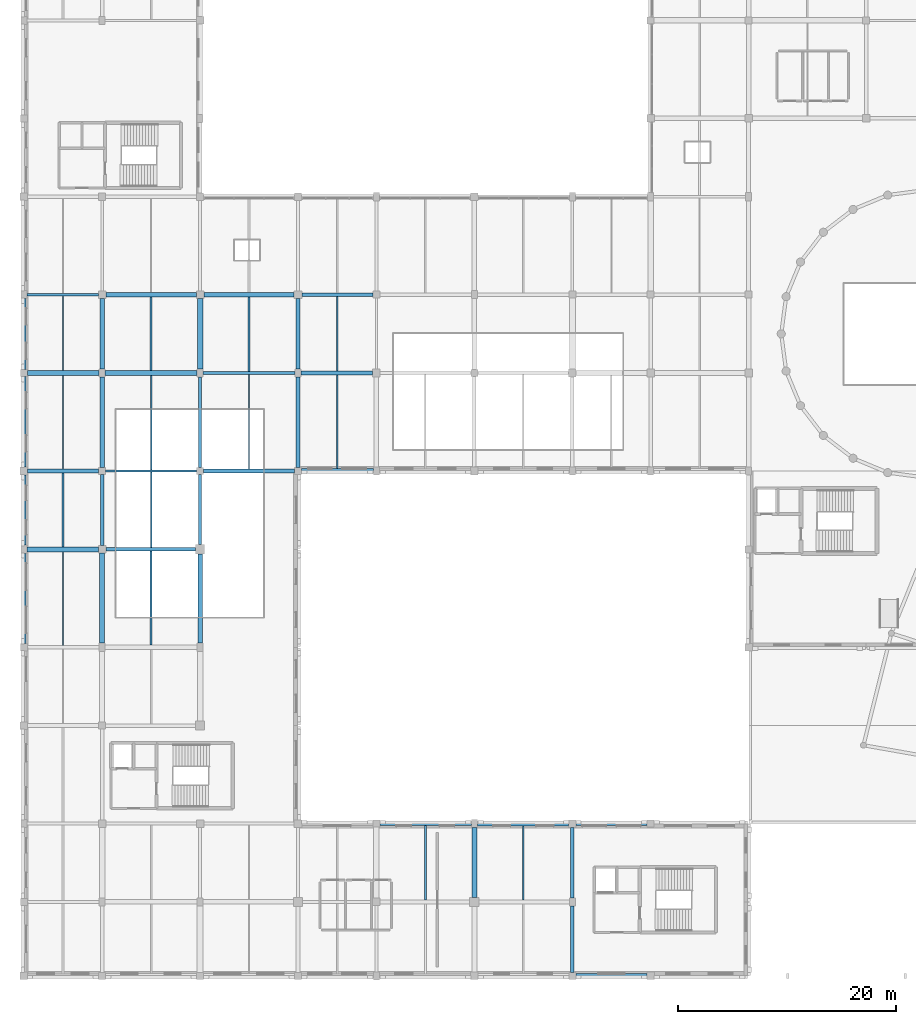
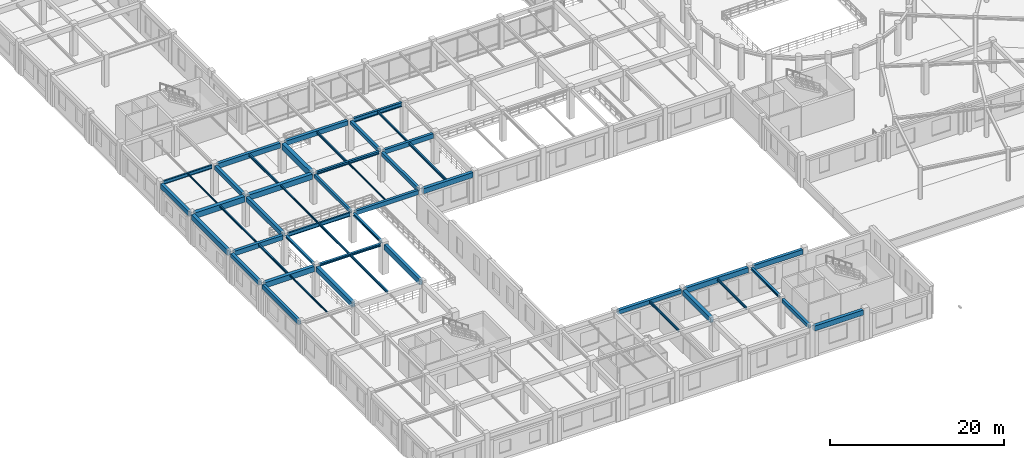
# One storey, part 4 of 62: 49 beams.
"""IFC4 building model written with IfcOpenShell, lengths in metres."""

from ifc_helpers import new_model, si_unit, direction, frame, origin, origin_2d, place, context, subcontext, project, spatial, rectangle, i_section, extrude, material, material_profile, profile_set, type_object, element, save


model = new_model("IFC4")

# Units and contexts
model_context = context("Model", 3, precision=1e-05, world=origin(), true_north=direction((0.0, 1.0)))
body_context = subcontext(model_context, "Body", "Model", "MODEL_VIEW")
ifc_project = project(units=[si_unit("LENGTHUNIT", "METRE"), si_unit("AREAUNIT", "SQUARE_METRE"), si_unit("VOLUMEUNIT", "CUBIC_METRE"), si_unit("PLANEANGLEUNIT", "RADIAN"), si_unit("MASSUNIT", "GRAM", prefix="KILO")], contexts=[model_context])

# Site, building, storey
site_placement = place(None, origin())
site = spatial("IfcSite", under=ifc_project, at=site_placement, CompositionType="ELEMENT")
building_placement = place(site_placement, origin())
building = spatial("IfcBuilding", under=site, at=building_placement, Name="Clarverna Civic Hall", CompositionType="ELEMENT")
storey_placement = place(building_placement, frame((0.0, 0.0, 5.10009765625)))
storey = spatial("IfcBuildingStorey", under=building, at=storey_placement, Name="L01", CompositionType="ELEMENT", Elevation=5.10009765625)

# Beams
ifc_material_1 = material(Name="Concrete C35/45", Category="concrete")
ifc_material_profile_1 = material_profile(ifc_material_1, rectangle(XDim=0.5, YDim=0.85009765625, at=origin_2d()), Name="RC 500x850")
ifc_profile_set_1 = profile_set([ifc_material_profile_1], Name="Concrete C35/45")
beam_type_1 = type_object("IfcBeamType", Name="B-RC1", PredefinedType="BEAM", material=ifc_profile_set_1)
beam_1_placement = place(storey_placement, frame((16.199951171875, 55.77490234375, 3.794921875), z_axis=(0.0, 1.0, 0.0), x_axis=(-1.0, 0.0, 0.0)))
element("IfcBeam", 1, at=beam_1_placement, inside=storey, type_object=beam_type_1, Name="B-RC1-017", PredefinedType="BEAM", context=body_context, shape_type="SweptSolid", body=[
    extrude(rectangle(XDim=0.5, YDim=0.85009765625, at=origin_2d()), origin(), (0.0, 0.0, 1.0), 6.47509765625),
])
ifc_material_profile_2 = material_profile(ifc_material_1, rectangle(XDim=0.35009765625, YDim=0.5, at=origin_2d()), Name="RC 350x500")
ifc_profile_set_2 = profile_set([ifc_material_profile_2], Name="Concrete C35/45")
beam_type_2 = type_object("IfcBeamType", Name="B-RC10", PredefinedType="BEAM", material=ifc_profile_set_2)
beam_2_placement = place(storey_placement, frame((25.199951171875, 55.77490234375, 3.969970703125), z_axis=(0.0, 1.0, 0.0), x_axis=(-1.0, 0.0, 0.0)))
element("IfcBeam", 2, at=beam_2_placement, inside=storey, type_object=beam_type_2, Name="B-RC10-024", PredefinedType="BEAM", context=body_context, shape_type="SweptSolid", body=[
    extrude(rectangle(XDim=0.35009765625, YDim=0.5, at=origin_2d()), origin(), (0.0, 0.0, 1.0), 6.47509765625),
])
beam_3_placement = place(storey_placement, frame((50.39990234375, 0.324951171875, 3.969970703125), z_axis=(0.0, 1.0, 0.0), x_axis=(-1.0, 0.0, 0.0)))
element("IfcBeam", 3, at=beam_3_placement, inside=storey, type_object=beam_type_2, Name="B-RC10-025", PredefinedType="BEAM", context=body_context, shape_type="SweptSolid", body=[
    extrude(rectangle(XDim=0.35009765625, YDim=0.5, at=origin_2d()), origin(), (0.0, 0.0, 1.0), 6.10009765625),
])
ifc_material_profile_3 = material_profile(ifc_material_1, rectangle(XDim=0.5, YDim=0.800048828125, at=origin_2d()), Name="RC 500x800")
ifc_profile_set_3 = profile_set([ifc_material_profile_3], Name="Concrete C35/45")
beam_type_3 = type_object("IfcBeamType", Name="B-RC14", PredefinedType="BEAM", material=ifc_profile_set_3)
beam_4_placement = place(storey_placement, frame((0.324951171875, 55.39990234375, 3.81982421875), z_axis=(1.0, 0.0, 0.0), x_axis=(0.0, 1.0, 0.0)))
element("IfcBeam", 4, at=beam_4_placement, inside=storey, type_object=beam_type_3, Name="B-RC14-022", PredefinedType="BEAM", context=body_context, shape_type="SweptSolid", body=[
    extrude(rectangle(XDim=0.5, YDim=0.800048828125, at=origin_2d()), origin(), (0.0, 0.0, 1.0), 6.60009765625),
])
ifc_material_profile_4 = material_profile(ifc_material_1, rectangle(XDim=0.5, YDim=0.75, at=origin_2d()), Name="RC 500x750")
ifc_profile_set_4 = profile_set([ifc_material_profile_4], Name="Concrete C35/45")
beam_type_4 = type_object("IfcBeamType", Name="B-RC15", PredefinedType="BEAM", material=ifc_profile_set_4)
beam_5_placement = place(storey_placement, frame((7.47509765625, 55.39990234375, 3.844970703125), z_axis=(1.0, 0.0, 0.0), x_axis=(0.0, 1.0, 0.0)))
element("IfcBeam", 5, at=beam_5_placement, inside=storey, type_object=beam_type_4, Name="B-RC15-026", PredefinedType="BEAM", context=body_context, shape_type="SweptSolid", body=[
    extrude(rectangle(XDim=0.5, YDim=0.75, at=origin_2d()), origin(), (0.0, 0.0, 1.0), 8.449951171875),
])
ifc_material_profile_5 = material_profile(ifc_material_1, rectangle(XDim=0.39990234375, YDim=0.75, at=origin_2d()), Name="RC 400x750")
ifc_profile_set_5 = profile_set([ifc_material_profile_5], Name="Concrete C35/45")
beam_type_5 = type_object("IfcBeamType", Name="B-RC16", PredefinedType="BEAM", material=ifc_profile_set_5)
beam_6_placement = place(storey_placement, frame((16.199951171875, 30.574951171875, 3.844970703125), z_axis=(0.0, 1.0, 0.0), x_axis=(-1.0, 0.0, 0.0)))
element("IfcBeam", 6, at=beam_6_placement, inside=storey, type_object=beam_type_5, Name="B-RC16-021", PredefinedType="BEAM", context=body_context, shape_type="SweptSolid", body=[
    extrude(rectangle(XDim=0.39990234375, YDim=0.75, at=origin_2d()), origin(), (0.0, 0.0, 1.0), 8.199951171875),
])
ifc_material_profile_6 = material_profile(ifc_material_1, rectangle(XDim=0.35009765625, YDim=0.64990234375, at=origin_2d()), Name="RC 350x650")
ifc_profile_set_6 = profile_set([ifc_material_profile_6], Name="Concrete C35/45")
beam_type_6 = type_object("IfcBeamType", Name="B-RC17", PredefinedType="BEAM", material=ifc_profile_set_6)
beam_7_placement = place(storey_placement, frame((25.47509765625, 55.39990234375, 3.89501953125), z_axis=(1.0, 0.0, 0.0), x_axis=(0.0, 1.0, 0.0)))
element("IfcBeam", 7, at=beam_7_placement, inside=storey, type_object=beam_type_6, Name="B-RC17-023", PredefinedType="BEAM", context=body_context, shape_type="SweptSolid", body=[
    extrude(rectangle(XDim=0.35009765625, YDim=0.64990234375, at=origin_2d()), origin(), (0.0, 0.0, 1.0), 6.574951171875),
])
ifc_material_profile_7 = material_profile(ifc_material_1, rectangle(XDim=0.300048828125, YDim=0.449951171875, at=origin_2d()), Name="RC 300x450")
ifc_profile_set_7 = profile_set([ifc_material_profile_7], Name="Concrete C35/45")
beam_type_7 = type_object("IfcBeamType", Name="B-RC18", PredefinedType="BEAM", material=ifc_profile_set_7)
beam_8_placement = place(storey_placement, frame((16.199951171875, 46.72509765625, 3.994873046875), z_axis=(0.0, 1.0, 0.0), x_axis=(-1.0, 0.0, 0.0)))
element("IfcBeam", 8, at=beam_8_placement, inside=storey, type_object=beam_type_7, Name="B-RC18-027", PredefinedType="BEAM", context=body_context, shape_type="SweptSolid", body=[
    extrude(rectangle(XDim=0.300048828125, YDim=0.449951171875, at=origin_2d()), origin(), (0.0, 0.0, 1.0), 8.2998046875),
])
ifc_material_profile_8 = material_profile(ifc_material_1, rectangle(XDim=0.449951171875, YDim=0.75, at=origin_2d()), Name="RC 450x750")
ifc_profile_set_8 = profile_set([ifc_material_profile_8], Name="Concrete C35/45")
beam_type_8 = type_object("IfcBeamType", Name="B-RC3", PredefinedType="BEAM", material=ifc_profile_set_8)
beam_9_placement = place(storey_placement, frame((0.27490234375, 39.199951171875, 3.844970703125), z_axis=(1.0, 0.0, 0.0), x_axis=(0.0, 1.0, 0.0)))
element("IfcBeam", 9, at=beam_9_placement, inside=storey, type_object=beam_type_8, Name="B-RC3-021", PredefinedType="BEAM", context=body_context, shape_type="SweptSolid", body=[
    extrude(rectangle(XDim=0.449951171875, YDim=0.75, at=origin_2d()), origin(), (0.0, 0.0, 1.0), 6.5751953125),
])
ifc_material_profile_9 = material_profile(ifc_material_1, rectangle(XDim=0.449951171875, YDim=0.699951171875, at=origin_2d()), Name="RC 450x700")
ifc_profile_set_9 = profile_set([ifc_material_profile_9], Name="Concrete C35/45")
beam_type_9 = type_object("IfcBeamType", Name="B-RC4", PredefinedType="BEAM", material=ifc_profile_set_9)
beam_10_placement = place(storey_placement, frame((7.199951171875, 30.574951171875, 3.869873046875), z_axis=(0.0, 1.0, 0.0), x_axis=(-1.0, 0.0, 0.0)))
element("IfcBeam", 10, at=beam_10_placement, inside=storey, type_object=beam_type_9, Name="B-RC4-021", PredefinedType="BEAM", context=body_context, shape_type="SweptSolid", body=[
    extrude(rectangle(XDim=0.449951171875, YDim=0.699951171875, at=origin_2d()), origin(), (0.0, 0.0, 1.0), 8.275146484375),
])
beam_11_placement = place(storey_placement, frame((41.39990234375, 7.22509765625, 3.869873046875), z_axis=(0.0, 1.0, 0.0), x_axis=(-1.0, 0.0, 0.0)))
element("IfcBeam", 11, at=beam_11_placement, inside=storey, type_object=beam_type_9, Name="B-RC4-022", PredefinedType="BEAM", context=body_context, shape_type="SweptSolid", body=[
    extrude(rectangle(XDim=0.449951171875, YDim=0.699951171875, at=origin_2d()), origin(), (0.0, 0.0, 1.0), 6.39990234375),
])
ifc_material_profile_10 = material_profile(ifc_material_1, rectangle(XDim=0.39990234375, YDim=0.699951171875, at=origin_2d()), Name="RC 400x700")
ifc_profile_set_10 = profile_set([ifc_material_profile_10], Name="Concrete C35/45")
beam_type_10 = type_object("IfcBeamType", Name="B-RC5", PredefinedType="BEAM", material=ifc_profile_set_10)
beam_12_placement = place(storey_placement, frame((7.550048828125, 62.60009765625, 3.869873046875), z_axis=(1.0, 0.0, 0.0), x_axis=(0.0, 1.0, 0.0)))
element("IfcBeam", 12, at=beam_12_placement, inside=storey, type_object=beam_type_10, Name="B-RC5-023", PredefinedType="BEAM", context=body_context, shape_type="SweptSolid", body=[
    extrude(rectangle(XDim=0.39990234375, YDim=0.699951171875, at=origin_2d()), origin(), (0.0, 0.0, 1.0), 8.300048828125),
])
ifc_material_profile_11 = material_profile(ifc_material_1, rectangle(XDim=0.39990234375, YDim=0.64990234375, at=origin_2d()), Name="RC 400x650")
ifc_profile_set_11 = profile_set([ifc_material_profile_11], Name="Concrete C35/45")
beam_type_11 = type_object("IfcBeamType", Name="B-RC6", PredefinedType="BEAM", material=ifc_profile_set_11)
beam_13_placement = place(storey_placement, frame((0.35009765625, 46.39990234375, 3.89501953125), z_axis=(1.0, 0.0, 0.0), x_axis=(0.0, 1.0, 0.0)))
element("IfcBeam", 13, at=beam_13_placement, inside=storey, type_object=beam_type_11, Name="B-RC6-026", PredefinedType="BEAM", context=body_context, shape_type="SweptSolid", body=[
    extrude(rectangle(XDim=0.39990234375, YDim=0.64990234375, at=origin_2d()), origin(), (0.0, 0.0, 1.0), 6.52490234375),
])
beam_14_placement = place(storey_placement, frame((16.550048828125, 62.60009765625, 3.89501953125), z_axis=(1.0, 0.0, 0.0), x_axis=(0.0, 1.0, 0.0)))
element("IfcBeam", 14, at=beam_14_placement, inside=storey, type_object=beam_type_11, Name="B-RC6-027", PredefinedType="BEAM", context=body_context, shape_type="SweptSolid", body=[
    extrude(rectangle(XDim=0.39990234375, YDim=0.64990234375, at=origin_2d()), origin(), (0.0, 0.0, 1.0), 8.300048828125),
])
beam_15_placement = place(storey_placement, frame((7.199951171875, 46.72509765625, 3.89501953125), z_axis=(0.0, 1.0, 0.0), x_axis=(-1.0, 0.0, 0.0)))
element("IfcBeam", 15, at=beam_15_placement, inside=storey, type_object=beam_type_11, Name="B-RC6-031", PredefinedType="BEAM", context=body_context, shape_type="SweptSolid", body=[
    extrude(rectangle(XDim=0.39990234375, YDim=0.64990234375, at=origin_2d()), origin(), (0.0, 0.0, 1.0), 8.2998046875),
])
ifc_material_profile_12 = material_profile(ifc_material_1, rectangle(XDim=0.39990234375, YDim=0.60009765625, at=origin_2d()), Name="RC 400x600")
ifc_profile_set_12 = profile_set([ifc_material_profile_12], Name="Concrete C35/45")
beam_type_12 = type_object("IfcBeamType", Name="B-RC7", PredefinedType="BEAM", material=ifc_profile_set_12)
beam_16_placement = place(storey_placement, frame((7.199951171875, 55.77490234375, 3.919921875), z_axis=(0.0, 1.0, 0.0), x_axis=(-1.0, 0.0, 0.0)))
element("IfcBeam", 16, at=beam_16_placement, inside=storey, type_object=beam_type_12, Name="B-RC7-022", PredefinedType="BEAM", context=body_context, shape_type="SweptSolid", body=[
    extrude(rectangle(XDim=0.39990234375, YDim=0.60009765625, at=origin_2d()), origin(), (0.0, 0.0, 1.0), 6.47509765625),
])
ifc_material_profile_13 = material_profile(ifc_material_1, rectangle(XDim=0.35009765625, YDim=0.60009765625, at=origin_2d()), Name="RC 350x600")
ifc_profile_set_13 = profile_set([ifc_material_profile_13], Name="Concrete C35/45")
beam_type_13 = type_object("IfcBeamType", Name="B-RC8", PredefinedType="BEAM", material=ifc_profile_set_13)
beam_17_placement = place(storey_placement, frame((16.52490234375, 46.39990234375, 3.919921875), z_axis=(1.0, 0.0, 0.0), x_axis=(0.0, 1.0, 0.0)))
element("IfcBeam", 17, at=beam_17_placement, inside=storey, type_object=beam_type_13, Name="B-RC8-021", PredefinedType="BEAM", context=body_context, shape_type="SweptSolid", body=[
    extrude(rectangle(XDim=0.35009765625, YDim=0.60009765625, at=origin_2d()), origin(), (0.0, 0.0, 1.0), 8.35009765625),
])
ifc_material_profile_14 = material_profile(ifc_material_1, rectangle(XDim=0.35009765625, YDim=0.550048828125, at=origin_2d()), Name="RC 350x550")
ifc_profile_set_14 = profile_set([ifc_material_profile_14], Name="Concrete C35/45")
beam_type_14 = type_object("IfcBeamType", Name="B-RC9", PredefinedType="BEAM", material=ifc_profile_set_14)
beam_18_placement = place(storey_placement, frame((25.199951171875, 46.72509765625, 3.94482421875), z_axis=(0.0, 1.0, 0.0), x_axis=(-1.0, 0.0, 0.0)))
element("IfcBeam", 18, at=beam_18_placement, inside=storey, type_object=beam_type_14, Name="B-RC9-029", PredefinedType="BEAM", context=body_context, shape_type="SweptSolid", body=[
    extrude(rectangle(XDim=0.35009765625, YDim=0.550048828125, at=origin_2d()), origin(), (0.0, 0.0, 1.0), 8.2998046875),
])
ifc_material_profile_15 = material_profile(ifc_material_1, rectangle(XDim=0.419921875, YDim=0.719970703125, at=origin_2d()), Name="RC 420x720")
ifc_profile_set_15 = profile_set([ifc_material_profile_15], Name="Concrete C35/45")
beam_type_15 = type_object("IfcBeamType", Name="B-SP1", PredefinedType="SPANDREL", material=ifc_profile_set_15)
beam_19_placement = place(storey_placement, frame((50.72509765625, 0.0, 3.85986328125), z_axis=(1.0, 0.0, 0.0), x_axis=(0.0, 1.0, 0.0)))
element("IfcBeam", 19, at=beam_19_placement, inside=storey, type_object=beam_type_15, Name="B-SP1-058", PredefinedType="SPANDREL", context=body_context, shape_type="SweptSolid", body=[
    extrude(rectangle(XDim=0.419921875, YDim=0.719970703125, at=origin_2d()), origin(), (0.0, 0.0, 1.0), 6.52490234375),
])
beam_20_placement = place(storey_placement, frame((41.675048828125, 14.0, 3.85986328125), z_axis=(1.0, 0.0, 0.0), x_axis=(0.0, 1.0, 0.0)))
element("IfcBeam", 20, at=beam_20_placement, inside=storey, type_object=beam_type_15, Name="B-SP1-059", PredefinedType="SPANDREL", context=body_context, shape_type="SweptSolid", body=[
    extrude(rectangle(XDim=0.419921875, YDim=0.719970703125, at=origin_2d()), origin(), (0.0, 0.0, 1.0), 8.375),
])
beam_21_placement = place(storey_placement, frame((25.52490234375, 46.39990234375, 3.85986328125), z_axis=(1.0, 0.0, 0.0), x_axis=(0.0, 1.0, 0.0)))
element("IfcBeam", 21, at=beam_21_placement, inside=storey, type_object=beam_type_15, Name="B-SP1-060", PredefinedType="SPANDREL", context=body_context, shape_type="SweptSolid", body=[
    extrude(rectangle(XDim=0.419921875, YDim=0.719970703125, at=origin_2d()), origin(), (0.0, 0.0, 1.0), 6.60009765625),
])
beam_22_placement = place(storey_placement, frame((0.0, 46.75, 3.85986328125), z_axis=(0.0, 1.0, 0.0), x_axis=(-1.0, 0.0, 0.0)))
element("IfcBeam", 22, at=beam_22_placement, inside=storey, type_object=beam_type_15, Name="B-SP1-070", PredefinedType="SPANDREL", context=body_context, shape_type="SweptSolid", body=[
    extrude(rectangle(XDim=0.419921875, YDim=0.719970703125, at=origin_2d()), origin(), (0.0, 0.0, 1.0), 8.324951171875),
])
ifc_material_profile_16 = material_profile(ifc_material_1, rectangle(XDim=0.3798828125, YDim=0.679931640625, at=origin_2d()), Name="RC 380x680")
ifc_profile_set_16 = profile_set([ifc_material_profile_16], Name="Concrete C35/45")
beam_type_16 = type_object("IfcBeamType", Name="B-SP2", PredefinedType="SPANDREL", material=ifc_profile_set_16)
beam_23_placement = place(storey_placement, frame((50.75, 14.0, 3.8798828125), z_axis=(1.0, 0.0, 0.0), x_axis=(0.0, 1.0, 0.0)))
element("IfcBeam", 23, at=beam_23_placement, inside=storey, type_object=beam_type_16, Name="B-SP2-058", PredefinedType="SPANDREL", context=body_context, shape_type="SweptSolid", body=[
    extrude(rectangle(XDim=0.3798828125, YDim=0.679931640625, at=origin_2d()), origin(), (0.0, 0.0, 1.0), 6.52490234375),
])
beam_24_placement = place(storey_placement, frame((0.0, 55.72509765625, 3.8798828125), z_axis=(0.0, 1.0, 0.0), x_axis=(-1.0, 0.0, 0.0)))
element("IfcBeam", 24, at=beam_24_placement, inside=storey, type_object=beam_type_16, Name="B-SP2-072", PredefinedType="SPANDREL", context=body_context, shape_type="SweptSolid", body=[
    extrude(rectangle(XDim=0.3798828125, YDim=0.679931640625, at=origin_2d()), origin(), (0.0, 0.0, 1.0), 6.5),
])
ifc_material_profile_17 = material_profile(ifc_material_1, rectangle(XDim=0.360107421875, YDim=0.6201171875, at=origin_2d()), Name="RC 360x620")
ifc_profile_set_17 = profile_set([ifc_material_profile_17], Name="Concrete C35/45")
beam_type_17 = type_object("IfcBeamType", Name="B-SP3", PredefinedType="SPANDREL", material=ifc_profile_set_17)
beam_25_placement = place(storey_placement, frame((0.0, 30.52490234375, 3.909912109375), z_axis=(0.0, 1.0, 0.0), x_axis=(-1.0, 0.0, 0.0)))
element("IfcBeam", 25, at=beam_25_placement, inside=storey, type_object=beam_type_17, Name="B-SP3-071", PredefinedType="SPANDREL", context=body_context, shape_type="SweptSolid", body=[
    extrude(rectangle(XDim=0.360107421875, YDim=0.6201171875, at=origin_2d()), origin(), (0.0, 0.0, 1.0), 8.300048828125),
])
ifc_material_profile_18 = material_profile(ifc_material_1, rectangle(XDim=0.39990234375, YDim=0.56005859375, at=origin_2d()), Name="RC 400x560")
ifc_profile_set_18 = profile_set([ifc_material_profile_18], Name="Concrete C35/45")
beam_type_18 = type_object("IfcBeamType", Name="B-SP4", PredefinedType="SPANDREL", material=ifc_profile_set_18)
beam_26_placement = place(storey_placement, frame((32.72509765625, 14.0, 3.93994140625), z_axis=(1.0, 0.0, 0.0), x_axis=(0.0, 1.0, 0.0)))
element("IfcBeam", 26, at=beam_26_placement, inside=storey, type_object=beam_type_18, Name="B-SP4-055", PredefinedType="SPANDREL", context=body_context, shape_type="SweptSolid", body=[
    extrude(rectangle(XDim=0.39990234375, YDim=0.56005859375, at=origin_2d()), origin(), (0.0, 0.0, 1.0), 8.39990234375),
])
beam_27_placement = place(storey_placement, frame((0.0, 39.574951171875, 3.93994140625), z_axis=(0.0, 1.0, 0.0), x_axis=(-1.0, 0.0, 0.0)))
element("IfcBeam", 27, at=beam_27_placement, inside=storey, type_object=beam_type_18, Name="B-SP4-068", PredefinedType="SPANDREL", context=body_context, shape_type="SweptSolid", body=[
    extrude(rectangle(XDim=0.39990234375, YDim=0.56005859375, at=origin_2d()), origin(), (0.0, 0.0, 1.0), 6.47509765625),
])
ifc_material_2 = material(Name="Steel S355", Category="steel")
ifc_material_profile_19 = material_profile(ifc_material_2, i_section(OverallWidth=0.300048828125, OverallDepth=0.60009765625, WebThickness=0.015380859375, FlangeThickness=0.030029296875, FilletRadius=0.027099609375, at=origin_2d()), Name="HEB 600")
ifc_profile_set_19 = profile_set([ifc_material_profile_19], Name="Steel S355")
beam_type_19 = type_object("IfcBeamType", Name="B-ST1", PredefinedType="BEAM", material=ifc_profile_set_19)
beam_28_placement = place(storey_placement, frame((25.550048828125, 62.60009765625, 3.919921875), z_axis=(1.0, 0.0, 0.0), x_axis=(0.0, 1.0, 0.0)))
element("IfcBeam", 28, at=beam_28_placement, inside=storey, type_object=beam_type_19, Name="B-ST1-006", PredefinedType="BEAM", context=body_context, shape_type="SweptSolid", body=[
    extrude(i_section(OverallWidth=0.300048828125, OverallDepth=0.60009765625, WebThickness=0.015380859375, FlangeThickness=0.030029296875, FilletRadius=0.027099609375, at=origin_2d()), origin(), (0.0, 0.0, 1.0), 6.52490234375),
])
ifc_material_profile_20 = material_profile(ifc_material_2, i_section(OverallWidth=0.2099609375, OverallDepth=0.550048828125, WebThickness=0.010986328125, FlangeThickness=0.01708984375, FilletRadius=0.02392578125, at=origin_2d()), Name="IPE 550")
ifc_profile_set_20 = profile_set([ifc_material_profile_20], Name="Steel S355")
beam_type_20 = type_object("IfcBeamType", Name="B-ST11", PredefinedType="BEAM", material=ifc_profile_set_20)
beam_29_placement = place(storey_placement, frame((7.52490234375, 46.39990234375, 3.94482421875), z_axis=(1.0, 0.0, 0.0), x_axis=(0.0, 1.0, 0.0)))
element("IfcBeam", 29, at=beam_29_placement, inside=storey, type_object=beam_type_20, Name="B-ST11-005", PredefinedType="BEAM", context=body_context, shape_type="SweptSolid", body=[
    extrude(i_section(OverallWidth=0.2099609375, OverallDepth=0.550048828125, WebThickness=0.010986328125, FlangeThickness=0.01708984375, FilletRadius=0.02392578125, at=origin_2d()), origin(), (0.0, 0.0, 1.0), 8.35009765625),
])
ifc_material_profile_21 = material_profile(ifc_material_2, i_section(OverallWidth=0.199951171875, OverallDepth=0.5, WebThickness=0.01025390625, FlangeThickness=0.01611328125, FilletRadius=0.02099609375, at=origin_2d()), Name="IPE 500")
ifc_profile_set_21 = profile_set([ifc_material_profile_21], Name="Steel S355")
beam_type_21 = type_object("IfcBeamType", Name="B-ST12", PredefinedType="BEAM", material=ifc_profile_set_21)
beam_30_placement = place(storey_placement, frame((0.27490234375, 62.60009765625, 3.969970703125), z_axis=(1.0, 0.0, 0.0), x_axis=(0.0, 1.0, 0.0)))
element("IfcBeam", 30, at=beam_30_placement, inside=storey, type_object=beam_type_21, Name="B-ST12-006", PredefinedType="BEAM", context=body_context, shape_type="SweptSolid", body=[
    extrude(i_section(OverallWidth=0.199951171875, OverallDepth=0.5, WebThickness=0.01025390625, FlangeThickness=0.01611328125, FilletRadius=0.02099609375, at=origin_2d()), origin(), (0.0, 0.0, 1.0), 6.5751953125),
])
ifc_material_profile_22 = material_profile(ifc_material_2, i_section(OverallWidth=0.300048828125, OverallDepth=0.389892578125, WebThickness=0.010986328125, FlangeThickness=0.01904296875, FilletRadius=0.027099609375, at=origin_2d()), Name="HEA 400")
ifc_profile_set_22 = profile_set([ifc_material_profile_22], Name="Steel S355")
beam_type_22 = type_object("IfcBeamType", Name="B-ST6", PredefinedType="BEAM", material=ifc_profile_set_22)
beam_31_placement = place(storey_placement, frame((16.47509765625, 55.39990234375, 4.02490234375), z_axis=(1.0, 0.0, 0.0), x_axis=(0.0, 1.0, 0.0)))
element("IfcBeam", 31, at=beam_31_placement, inside=storey, type_object=beam_type_22, Name="B-ST6-004", PredefinedType="BEAM", context=body_context, shape_type="SweptSolid", body=[
    extrude(i_section(OverallWidth=0.300048828125, OverallDepth=0.389892578125, WebThickness=0.010986328125, FlangeThickness=0.01904296875, FilletRadius=0.027099609375, at=origin_2d()), origin(), (0.0, 0.0, 1.0), 8.449951171875),
])
ifc_material_profile_23 = material_profile(ifc_material_2, i_section(OverallWidth=0.300048828125, OverallDepth=0.35009765625, WebThickness=0.010009765625, FlangeThickness=0.017578125, FilletRadius=0.027099609375, at=origin_2d()), Name="HEA 360")
ifc_profile_set_23 = profile_set([ifc_material_profile_23], Name="Steel S355")
beam_type_23 = type_object("IfcBeamType", Name="B-ST7", PredefinedType="BEAM", material=ifc_profile_set_23)
beam_32_placement = place(storey_placement, frame((16.199951171875, 39.625, 4.044921875), z_axis=(0.0, 1.0, 0.0), x_axis=(-1.0, 0.0, 0.0)))
element("IfcBeam", 32, at=beam_32_placement, inside=storey, type_object=beam_type_23, Name="B-ST7-008", PredefinedType="BEAM", context=body_context, shape_type="SweptSolid", body=[
    extrude(i_section(OverallWidth=0.300048828125, OverallDepth=0.35009765625, WebThickness=0.010009765625, FlangeThickness=0.017578125, FilletRadius=0.027099609375, at=origin_2d()), origin(), (0.0, 0.0, 1.0), 6.449951171875),
])
ifc_material_profile_24 = material_profile(ifc_material_2, i_section(OverallWidth=0.300048828125, OverallDepth=0.330078125, WebThickness=0.009521484375, FlangeThickness=0.0166015625, FilletRadius=0.027099609375, at=origin_2d()), Name="HEA 340")
ifc_profile_set_24 = profile_set([ifc_material_profile_24], Name="Steel S355")
beam_type_24 = type_object("IfcBeamType", Name="B-ST8", PredefinedType="BEAM", material=ifc_profile_set_24)
beam_33_placement = place(storey_placement, frame((7.550048828125, 39.199951171875, 4.054931640625), z_axis=(1.0, 0.0, 0.0), x_axis=(0.0, 1.0, 0.0)))
element("IfcBeam", 33, at=beam_33_placement, inside=storey, type_object=beam_type_24, Name="B-ST8-054", PredefinedType="BEAM", context=body_context, shape_type="SweptSolid", body=[
    extrude(i_section(OverallWidth=0.300048828125, OverallDepth=0.330078125, WebThickness=0.009521484375, FlangeThickness=0.0166015625, FilletRadius=0.027099609375, at=origin_2d()), origin(), (0.0, 0.0, 1.0), 8.224853515625),
])
ifc_material_profile_25 = material_profile(ifc_material_2, i_section(OverallWidth=0.300048828125, OverallDepth=0.31005859375, WebThickness=0.009033203125, FlangeThickness=0.015380859375, FilletRadius=0.027099609375, at=origin_2d()), Name="HEA 320")
ifc_profile_set_25 = profile_set([ifc_material_profile_25], Name="Steel S355")
beam_type_25 = type_object("IfcBeamType", Name="B-ST9", PredefinedType="BEAM", material=ifc_profile_set_25)
beam_34_placement = place(storey_placement, frame((7.199951171875, 39.550048828125, 4.06494140625), z_axis=(0.0, 1.0, 0.0), x_axis=(-1.0, 0.0, 0.0)))
element("IfcBeam", 34, at=beam_34_placement, inside=storey, type_object=beam_type_25, Name="B-ST9-053", PredefinedType="BEAM", context=body_context, shape_type="SweptSolid", body=[
    extrude(i_section(OverallWidth=0.300048828125, OverallDepth=0.31005859375, WebThickness=0.009033203125, FlangeThickness=0.015380859375, FilletRadius=0.027099609375, at=origin_2d()), origin(), (0.0, 0.0, 1.0), 6.52490234375),
])
beam_35_placement = place(storey_placement, frame((50.39990234375, 7.175048828125, 4.06494140625), z_axis=(0.0, 1.0, 0.0), x_axis=(-1.0, 0.0, 0.0)))
element("IfcBeam", 35, at=beam_35_placement, inside=storey, type_object=beam_type_25, Name="B-ST9-054", PredefinedType="BEAM", context=body_context, shape_type="SweptSolid", body=[
    extrude(i_section(OverallWidth=0.300048828125, OverallDepth=0.31005859375, WebThickness=0.009033203125, FlangeThickness=0.015380859375, FilletRadius=0.027099609375, at=origin_2d()), origin(), (0.0, 0.0, 1.0), 6.474853515625),
])
ifc_material_profile_26 = material_profile(ifc_material_2, i_section(OverallWidth=0.169921875, OverallDepth=0.360107421875, WebThickness=0.008056640625, FlangeThickness=0.0126953125, FilletRadius=0.01806640625, at=origin_2d()), Name="IPE 360")
ifc_profile_set_26 = profile_set([ifc_material_profile_26], Name="Steel S355")
beam_type_26 = type_object("IfcBeamType", Name="J-ST1", PredefinedType="JOIST", material=ifc_profile_set_26)
beam_36_placement = place(storey_placement, frame((36.89990234375, 6.97509765625, 4.039794921875), z_axis=(0.0, 1.0, 0.0), x_axis=(-1.0, 0.0, 0.0)))
element("IfcBeam", 36, at=beam_36_placement, inside=storey, type_object=beam_type_26, Name="J-ST1-036", PredefinedType="JOIST", context=body_context, shape_type="SweptSolid", body=[
    extrude(i_section(OverallWidth=0.169921875, OverallDepth=0.360107421875, WebThickness=0.008056640625, FlangeThickness=0.0126953125, FilletRadius=0.01806640625, at=origin_2d()), origin(), (0.0, 0.0, 1.0), 6.824951171875),
])
beam_37_placement = place(storey_placement, frame((11.699951171875, 30.425048828125, 4.039794921875), z_axis=(0.0, 1.0, 0.0), x_axis=(-1.0, 0.0, 0.0)))
element("IfcBeam", 37, at=beam_37_placement, inside=storey, type_object=beam_type_26, Name="J-ST1-037", PredefinedType="JOIST", context=body_context, shape_type="SweptSolid", body=[
    extrude(i_section(OverallWidth=0.169921875, OverallDepth=0.360107421875, WebThickness=0.008056640625, FlangeThickness=0.0126953125, FilletRadius=0.01806640625, at=origin_2d()), origin(), (0.0, 0.0, 1.0), 8.625),
])
beam_38_placement = place(storey_placement, frame((28.800048828125, 46.610107421875, 4.039794921875), z_axis=(0.0, 1.0, 0.0), x_axis=(-1.0, 0.0, 0.0)))
element("IfcBeam", 38, at=beam_38_placement, inside=storey, type_object=beam_type_26, Name="J-ST1-038", PredefinedType="JOIST", context=body_context, shape_type="SweptSolid", body=[
    extrude(i_section(OverallWidth=0.169921875, OverallDepth=0.360107421875, WebThickness=0.008056640625, FlangeThickness=0.0126953125, FilletRadius=0.01806640625, at=origin_2d()), origin(), (0.0, 0.0, 1.0), 8.614990234375),
])
beam_39_placement = place(storey_placement, frame((11.699951171875, 55.64990234375, 4.039794921875), z_axis=(0.0, 1.0, 0.0), x_axis=(-1.0, 0.0, 0.0)))
element("IfcBeam", 39, at=beam_39_placement, inside=storey, type_object=beam_type_26, Name="J-ST1-039", PredefinedType="JOIST", context=body_context, shape_type="SweptSolid", body=[
    extrude(i_section(OverallWidth=0.169921875, OverallDepth=0.360107421875, WebThickness=0.008056640625, FlangeThickness=0.0126953125, FilletRadius=0.01806640625, at=origin_2d()), origin(), (0.0, 0.0, 1.0), 6.75),
])
ifc_material_profile_27 = material_profile(ifc_material_2, i_section(OverallWidth=0.159912109375, OverallDepth=0.330078125, WebThickness=0.007568359375, FlangeThickness=0.011474609375, FilletRadius=0.01806640625, at=origin_2d()), Name="IPE 330")
ifc_profile_set_27 = profile_set([ifc_material_profile_27], Name="Steel S355")
beam_type_27 = type_object("IfcBeamType", Name="J-ST2", PredefinedType="JOIST", material=ifc_profile_set_27)
beam_40_placement = place(storey_placement, frame((45.89990234375, 6.97509765625, 4.054931640625), z_axis=(0.0, 1.0, 0.0), x_axis=(-1.0, 0.0, 0.0)))
element("IfcBeam", 40, at=beam_40_placement, inside=storey, type_object=beam_type_27, Name="J-ST2-036", PredefinedType="JOIST", context=body_context, shape_type="SweptSolid", body=[
    extrude(i_section(OverallWidth=0.159912109375, OverallDepth=0.330078125, WebThickness=0.007568359375, FlangeThickness=0.011474609375, FilletRadius=0.01806640625, at=origin_2d()), origin(), (0.0, 0.0, 1.0), 6.81494140625),
])
beam_41_placement = place(storey_placement, frame((3.60009765625, 39.425048828125, 4.054931640625), z_axis=(0.0, 1.0, 0.0), x_axis=(-1.0, 0.0, 0.0)))
element("IfcBeam", 41, at=beam_41_placement, inside=storey, type_object=beam_type_27, Name="J-ST2-037", PredefinedType="JOIST", context=body_context, shape_type="SweptSolid", body=[
    extrude(i_section(OverallWidth=0.159912109375, OverallDepth=0.330078125, WebThickness=0.007568359375, FlangeThickness=0.011474609375, FilletRadius=0.01806640625, at=origin_2d()), origin(), (0.0, 0.0, 1.0), 6.77490234375),
])
beam_42_placement = place(storey_placement, frame((20.699951171875, 55.550048828125, 4.054931640625), z_axis=(0.0, 1.0, 0.0), x_axis=(-1.0, 0.0, 0.0)))
element("IfcBeam", 42, at=beam_42_placement, inside=storey, type_object=beam_type_27, Name="J-ST2-039", PredefinedType="JOIST", context=body_context, shape_type="SweptSolid", body=[
    extrude(i_section(OverallWidth=0.159912109375, OverallDepth=0.330078125, WebThickness=0.007568359375, FlangeThickness=0.011474609375, FilletRadius=0.01806640625, at=origin_2d()), origin(), (0.0, 0.0, 1.0), 6.849853515625),
])
ifc_material_profile_28 = material_profile(ifc_material_2, i_section(OverallWidth=0.14990234375, OverallDepth=0.300048828125, WebThickness=0.007080078125, FlangeThickness=0.0107421875, FilletRadius=0.014892578125, at=origin_2d()), Name="IPE 300")
ifc_profile_set_28 = profile_set([ifc_material_profile_28], Name="Steel S355")
beam_type_28 = type_object("IfcBeamType", Name="J-ST3", PredefinedType="JOIST", material=ifc_profile_set_28)
beam_43_placement = place(storey_placement, frame((11.699951171875, 39.35009765625, 4.06982421875), z_axis=(0.0, 1.0, 0.0), x_axis=(-1.0, 0.0, 0.0)))
element("IfcBeam", 43, at=beam_43_placement, inside=storey, type_object=beam_type_28, Name="J-ST3-037", PredefinedType="JOIST", context=body_context, shape_type="SweptSolid", body=[
    extrude(i_section(OverallWidth=0.14990234375, OverallDepth=0.300048828125, WebThickness=0.007080078125, FlangeThickness=0.0107421875, FilletRadius=0.014892578125, at=origin_2d()), origin(), (0.0, 0.0, 1.0), 6.94482421875),
])
beam_44_placement = place(storey_placement, frame((28.800048828125, 55.574951171875, 4.06982421875), z_axis=(0.0, 1.0, 0.0), x_axis=(-1.0, 0.0, 0.0)))
element("IfcBeam", 44, at=beam_44_placement, inside=storey, type_object=beam_type_28, Name="J-ST3-039", PredefinedType="JOIST", context=body_context, shape_type="SweptSolid", body=[
    extrude(i_section(OverallWidth=0.14990234375, OverallDepth=0.300048828125, WebThickness=0.007080078125, FlangeThickness=0.0107421875, FilletRadius=0.014892578125, at=origin_2d()), origin(), (0.0, 0.0, 1.0), 6.875),
])
ifc_material_profile_29 = material_profile(ifc_material_2, i_section(OverallWidth=0.135009765625, OverallDepth=0.27001953125, WebThickness=0.006591796875, FlangeThickness=0.01025390625, FilletRadius=0.014892578125, at=origin_2d()), Name="IPE 270")
ifc_profile_set_29 = profile_set([ifc_material_profile_29], Name="Steel S355")
beam_type_29 = type_object("IfcBeamType", Name="J-ST4", PredefinedType="JOIST", material=ifc_profile_set_29)
beam_45_placement = place(storey_placement, frame((3.60009765625, 46.60009765625, 4.0849609375), z_axis=(0.0, 1.0, 0.0), x_axis=(-1.0, 0.0, 0.0)))
element("IfcBeam", 45, at=beam_45_placement, inside=storey, type_object=beam_type_29, Name="J-ST4-039", PredefinedType="JOIST", context=body_context, shape_type="SweptSolid", body=[
    extrude(i_section(OverallWidth=0.135009765625, OverallDepth=0.27001953125, WebThickness=0.006591796875, FlangeThickness=0.01025390625, FilletRadius=0.014892578125, at=origin_2d()), origin(), (0.0, 0.0, 1.0), 8.5498046875),
])
ifc_material_profile_30 = material_profile(ifc_material_2, i_section(OverallWidth=0.1201171875, OverallDepth=0.239990234375, WebThickness=0.006103515625, FlangeThickness=0.009765625, FilletRadius=0.014892578125, at=origin_2d()), Name="IPE 240")
ifc_profile_set_30 = profile_set([ifc_material_profile_30], Name="Steel S355")
beam_type_30 = type_object("IfcBeamType", Name="J-ST5", PredefinedType="JOIST", material=ifc_profile_set_30)
beam_46_placement = place(storey_placement, frame((11.699951171875, 46.5048828125, 4.099853515625), z_axis=(0.0, 1.0, 0.0), x_axis=(-1.0, 0.0, 0.0)))
element("IfcBeam", 46, at=beam_46_placement, inside=storey, type_object=beam_type_30, Name="J-ST5-037", PredefinedType="JOIST", context=body_context, shape_type="SweptSolid", body=[
    extrude(i_section(OverallWidth=0.1201171875, OverallDepth=0.239990234375, WebThickness=0.006103515625, FlangeThickness=0.009765625, FilletRadius=0.014892578125, at=origin_2d()), origin(), (0.0, 0.0, 1.0), 8.64501953125),
])
ifc_material_profile_31 = material_profile(ifc_material_2, i_section(OverallWidth=0.110107421875, OverallDepth=0.219970703125, WebThickness=0.005859375, FlangeThickness=0.00927734375, FilletRadius=0.011962890625, at=origin_2d()), Name="IPE 220")
ifc_profile_set_31 = profile_set([ifc_material_profile_31], Name="Steel S355")
beam_type_31 = type_object("IfcBeamType", Name="J-ST6", PredefinedType="JOIST", material=ifc_profile_set_31)
beam_47_placement = place(storey_placement, frame((3.60009765625, 30.35009765625, 4.10986328125), z_axis=(0.0, 1.0, 0.0), x_axis=(-1.0, 0.0, 0.0)))
element("IfcBeam", 47, at=beam_47_placement, inside=storey, type_object=beam_type_31, Name="J-ST6-037", PredefinedType="JOIST", context=body_context, shape_type="SweptSolid", body=[
    extrude(i_section(OverallWidth=0.110107421875, OverallDepth=0.219970703125, WebThickness=0.005859375, FlangeThickness=0.00927734375, FilletRadius=0.011962890625, at=origin_2d()), origin(), (0.0, 0.0, 1.0), 8.625),
])
beam_48_placement = place(storey_placement, frame((20.699951171875, 46.574951171875, 4.10986328125), z_axis=(0.0, 1.0, 0.0), x_axis=(-1.0, 0.0, 0.0)))
element("IfcBeam", 48, at=beam_48_placement, inside=storey, type_object=beam_type_31, Name="J-ST6-038", PredefinedType="JOIST", context=body_context, shape_type="SweptSolid", body=[
    extrude(i_section(OverallWidth=0.110107421875, OverallDepth=0.219970703125, WebThickness=0.005859375, FlangeThickness=0.00927734375, FilletRadius=0.011962890625, at=origin_2d()), origin(), (0.0, 0.0, 1.0), 8.675048828125),
])
beam_49_placement = place(storey_placement, frame((3.60009765625, 55.64990234375, 4.10986328125), z_axis=(0.0, 1.0, 0.0), x_axis=(-1.0, 0.0, 0.0)))
element("IfcBeam", 49, at=beam_49_placement, inside=storey, type_object=beam_type_31, Name="J-ST6-039", PredefinedType="JOIST", context=body_context, shape_type="SweptSolid", body=[
    extrude(i_section(OverallWidth=0.110107421875, OverallDepth=0.219970703125, WebThickness=0.005859375, FlangeThickness=0.00927734375, FilletRadius=0.011962890625, at=origin_2d()), origin(), (0.0, 0.0, 1.0), 6.85009765625),
])

save(model, "model.ifc")
